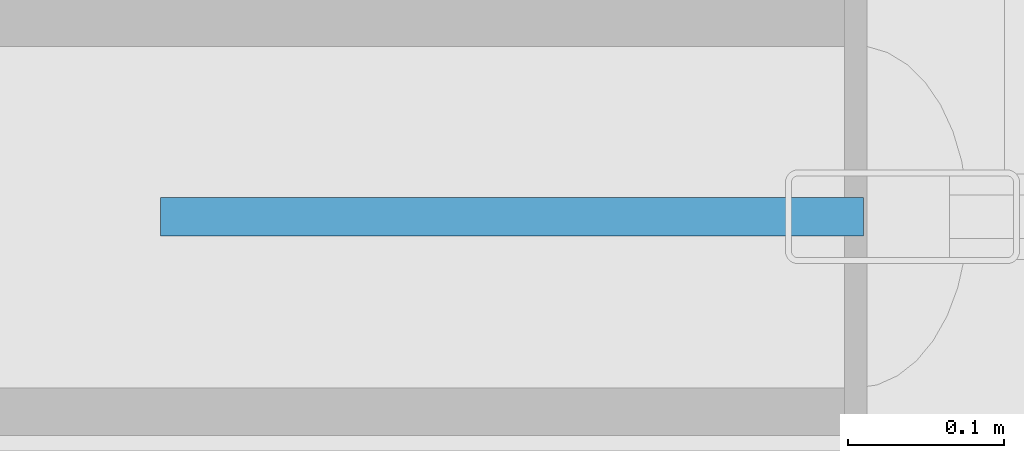
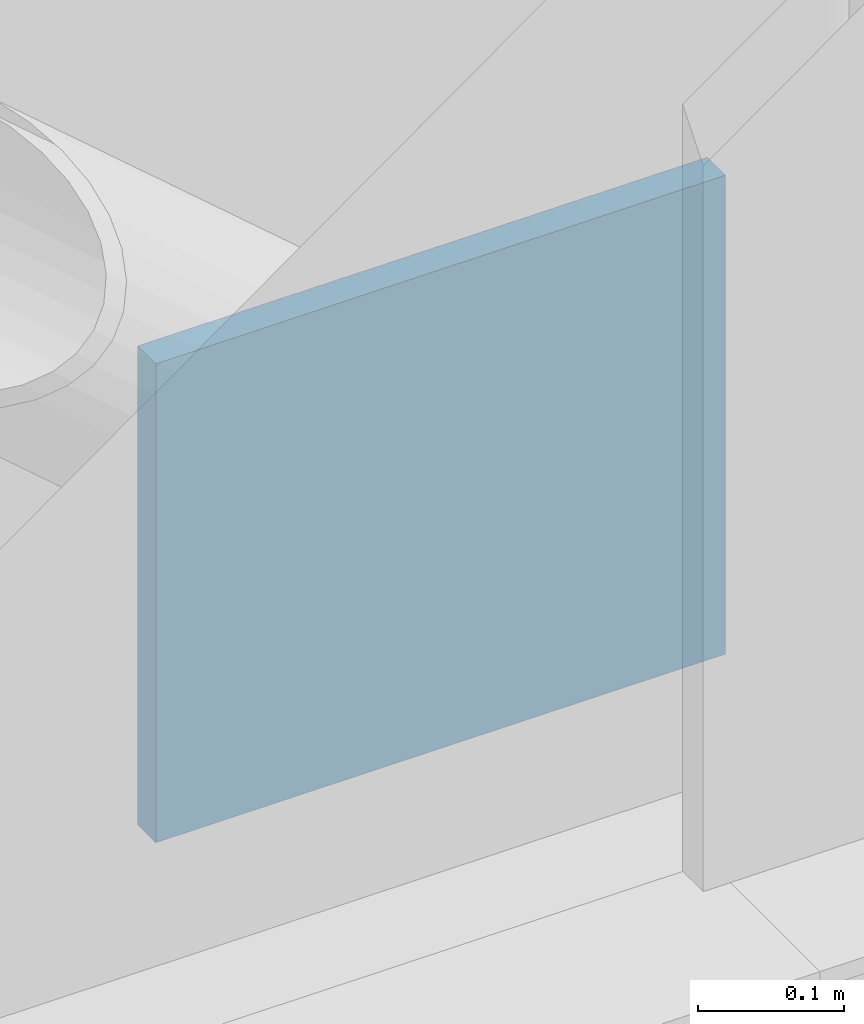
# One storey, part 54 of 69: 1 discrete accessory.
"""IFC4 building model written with IfcOpenShell, lengths in metres."""

from ifc_helpers import new_model, si_unit, direction, frame, origin, origin_2d, place, context, subcontext, project, spatial, rectangle, extrude, material, type_object, element, save


model = new_model("IFC4")

# Units and contexts
model_context = context("Model", 3, precision=1e-05, world=origin(), true_north=direction((0.0, 1.0)))
body_context = subcontext(model_context, "Body", "Model", "MODEL_VIEW")
ifc_project = project(units=[si_unit("LENGTHUNIT", "METRE"), si_unit("AREAUNIT", "SQUARE_METRE"), si_unit("VOLUMEUNIT", "CUBIC_METRE"), si_unit("PLANEANGLEUNIT", "RADIAN"), si_unit("MASSUNIT", "GRAM", prefix="KILO")], contexts=[model_context])

# Site, building, storey
site_placement = place(None, origin())
site = spatial("IfcSite", under=ifc_project, at=site_placement, CompositionType="ELEMENT")
building_placement = place(site_placement, origin())
building = spatial("IfcBuilding", under=site, at=building_placement, Name="Qalvenar Corner Mobility Hub", CompositionType="ELEMENT")
storey_placement = place(building_placement, frame((0.0, 0.0, 13.199951171875)))
storey = spatial("IfcBuildingStorey", under=building, at=storey_placement, Name="L03", CompositionType="ELEMENT", Elevation=13.199951171875)

# Discrete accessory
ifc_material = material(Name="Steel S355", Category="steel")
discrete_accessory_type = type_object("IfcDiscreteAccessoryType", Name="ACC-GUSSET-PLT", PredefinedType="BRACKET", material=ifc_material)
discrete_accessory_placement = place(storey_placement, frame((33.3798828125, 0.0, 0.0), z_axis=(0.0, 0.0, 1.0), x_axis=(1.0, 0.0, 0.0)))
element("IfcDiscreteAccessory", 1, at=discrete_accessory_placement, inside=storey, type_object=discrete_accessory_type, Name="Brace Base Gusset Plate GP-B-012", PredefinedType="BRACKET", context=body_context, shape_type="SweptSolid", body=[
    extrude(rectangle(XDim=0.449951171875, YDim=0.02490234375, at=origin_2d()), origin(), (0.0, 0.0, 1.0), 0.39990234375),
])

save(model, "model.ifc")
